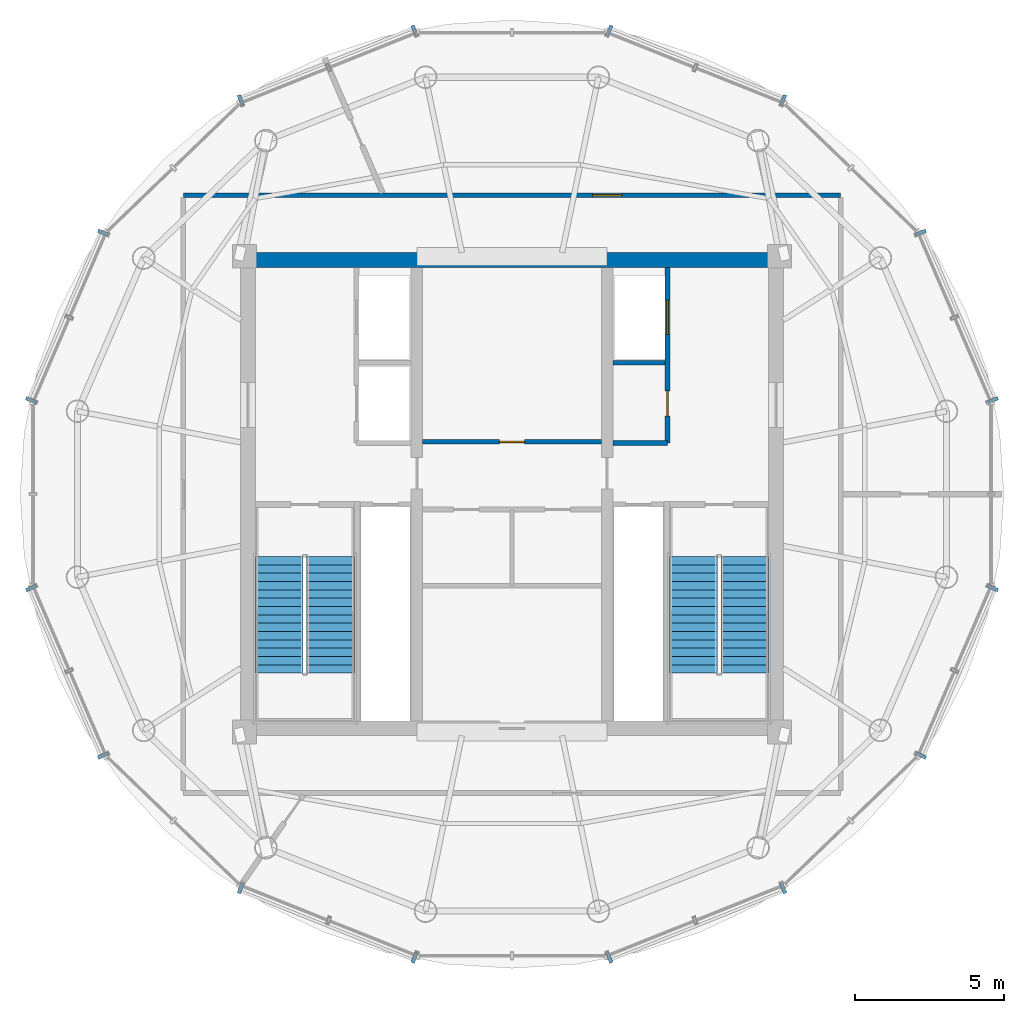
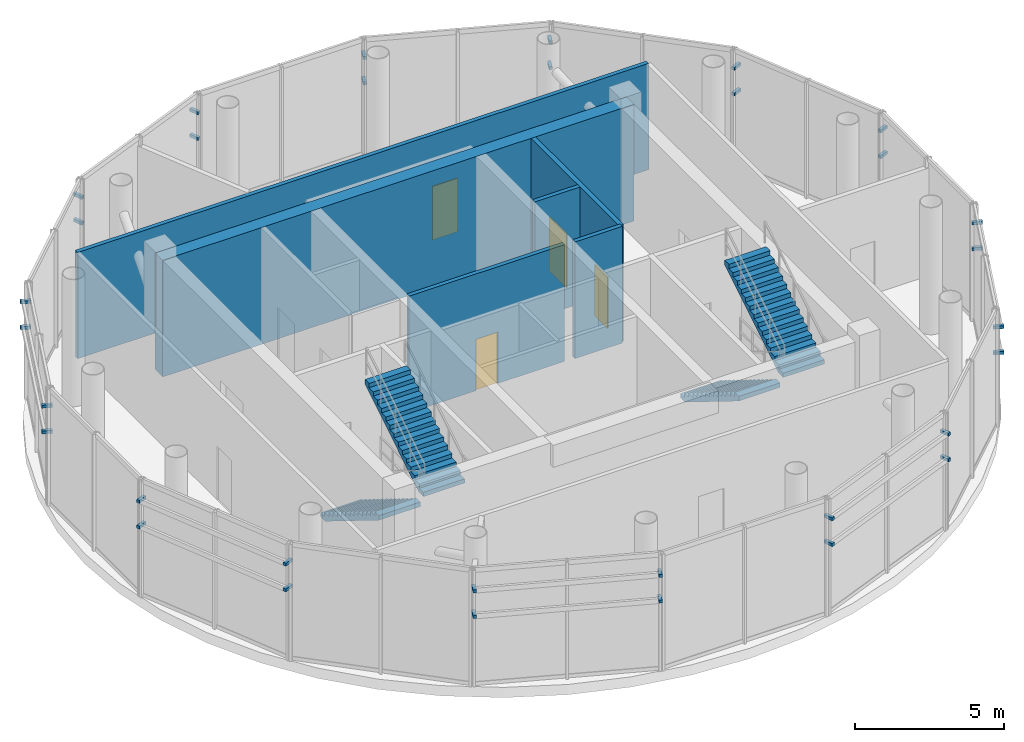
# One storey, part 12 of 14: 32 discrete accessories, 6 walls, 4 doors, 4 stair flights, 4 openings, 2 elements without a shape of their own.
"""IFC4 building model written with IfcOpenShell, lengths in metres."""

from ifc_helpers import new_model, si_unit, direction, frame, frame_2d, origin, origin_2d, place, context, subcontext, project, spatial, polyline, rectangle, outline, extrude, source, transform, mapped, material, layer, layer_set, type_object, element, fill, aggregate, save


model = new_model("IFC4")

# Units and contexts
model_context = context("Model", 3, precision=1e-05, world=origin(), true_north=direction((-0.2419218956, 0.970295726276)))
body_context = subcontext(model_context, "Body", "Model", "MODEL_VIEW")
ifc_project = project(units=[si_unit("LENGTHUNIT", "METRE"), si_unit("AREAUNIT", "SQUARE_METRE"), si_unit("VOLUMEUNIT", "CUBIC_METRE"), si_unit("PLANEANGLEUNIT", "RADIAN"), si_unit("MASSUNIT", "GRAM", prefix="KILO")], contexts=[model_context])

# Site, building, storey
site_placement = place(None, origin())
site = spatial("IfcSite", under=ifc_project, at=site_placement, CompositionType="ELEMENT")
building_placement = place(site_placement, origin())
building = spatial("IfcBuilding", under=site, at=building_placement, Name="Cobrevalo Terracotta Tower", CompositionType="ELEMENT")
storey_placement = place(building_placement, frame((0.0, 0.0, 326.89990234375)))
storey = spatial("IfcBuildingStorey", under=building, at=storey_placement, Name="L84", CompositionType="ELEMENT", Elevation=326.89990234375)

# Walls
ifc_material_1 = material(Name="Concrete C50", Category="concrete")
ifc_layer_1 = layer(ifc_material_1, 0.5)
ifc_layer_set_1 = layer_set([ifc_layer_1], Name="Concrete C50")
wall_type_1 = type_object("IfcWallType", Name="Crown core shear wall 500 mm Concrete C50", PredefinedType="SHEAR", material=ifc_layer_set_1)
wall_1_placement = place(storey_placement, frame((28.875, 34.675048828125, 0.0), z_axis=(0.0, 0.0, 1.0), x_axis=(1.0, 0.0, 0.0)))
element("IfcWall", 1, at=wall_1_placement, inside=storey, type_object=wall_type_1, Name="L84 north core shear wall", PredefinedType="SHEAR", context=body_context, shape_type="SweptSolid", body=[
    extrude(rectangle(XDim=18.25, YDim=0.5, at=frame_2d((9.125, 0.0))), origin(), (0.0, 0.0, 1.0), 4.780029296875),
])
ifc_material_2 = material(Name="Gypsum board on steel stud", Category="steel")
ifc_layer_2 = layer(ifc_material_2, 0.159912109375)
ifc_layer_set_2 = layer_set([ifc_layer_2], Name="Gypsum board on steel stud")
wall_type_2 = type_object("IfcWallType", Name="Fire-rated corridor acoustic partition wall 160 mm", PredefinedType="PARTITIONING", material=ifc_layer_set_2)
wall_2_placement = place(storey_placement, frame((41.389892578125, 31.219970703125, 0.0), z_axis=(0.0, 0.0, 1.0), x_axis=(1.0, 0.0, 0.0)))
element("IfcWall", 2, at=wall_2_placement, inside=storey, type_object=wall_type_2, Name="L84 interior partition IW-L84-FF2-M", PredefinedType="PARTITIONING", context=body_context, shape_type="SweptSolid", body=[
    extrude(rectangle(XDim=1.75, YDim=0.159912109375, at=frame_2d((0.875, 0.0))), origin(), (0.0, 0.0, 1.0), 4.780029296875),
])
wall_3_placement = place(storey_placement, frame((41.389892578125, 28.52001953125, 0.0), z_axis=(0.0, 0.0, 1.0), x_axis=(1.0, 0.0, 0.0)))
element("IfcWall", 3, at=wall_3_placement, inside=storey, type_object=wall_type_2, Name="L84 interior partition IW-L84-FF2-S", PredefinedType="PARTITIONING", context=body_context, shape_type="SweptSolid", body=[
    extrude(rectangle(XDim=1.840087890625, YDim=0.159912109375, at=frame_2d((0.919921875, 0.0))), origin(), (0.0, 0.0, 1.0), 4.780029296875),
])

# Wall, opening, door
wall_4_placement = place(storey_placement, frame((34.989990234375, 28.56005859375, 0.0), z_axis=(0.0, 0.0, 1.0), x_axis=(1.0, 0.0, 0.0)))
wall_4 = element("IfcWall", 4, at=wall_4_placement, inside=storey, type_object=wall_type_2, Name="L84 interior partition IW-L84-LB-S", PredefinedType="PARTITIONING", context=body_context, shape_type="SweptSolid", body=[
    extrude(rectangle(XDim=6.02001953125, YDim=0.159912109375, at=frame_2d((3.010009765625, 0.0))), origin(), (0.0, 0.0, 1.0), 4.780029296875),
])
opening_1_placement = place(wall_4_placement, frame((2.5849609375, 0.0, 0.0)))
opening_1 = element("IfcOpeningElement", 5, at=opening_1_placement, cuts=wall_4, Name="Opening ID-22", PredefinedType="OPENING", context=body_context, shape_type="SweptSolid", body=[
    extrude(rectangle(XDim=0.85009765625, YDim=2.10009765625, at=frame_2d((0.425048828125, 1.050048828125))), frame((0.0, 0.08984375, 0.0), z_axis=(0.0, -1.0, 0.0), x_axis=(1.0, 0.0, 0.0)), (0.0, 0.0, 1.0), 0.179931640625),
])
ifc_material_3 = material(Name="Powder-coated steel", Category="steel")
door_type_1 = type_object("IfcDoorType", Name="Riser shaft & meter closet fire access door 850x2100 EI 60", OperationType="NOTDEFINED", PredefinedType="DOOR", material=ifc_material_3)
shared_shape_1 = source(origin(), body_context, "Body", "SweptSolid", [
    extrude(rectangle(XDim=0.85009765625, YDim=2.10009765625, at=frame_2d((0.425048828125, 1.050048828125))), frame((0.0, 0.02490234375, 0.0), z_axis=(0.0, -1.0, 0.0), x_axis=(1.0, 0.0, 0.0)), (0.0, 0.0, 1.0), 0.050048828125),
])
door_1_placement = place(opening_1_placement, origin())
door_1 = element("IfcDoor", 6, at=door_1_placement, inside=storey, type_object=door_type_1, Name="L84 core service door Crown HV Switchroom Plant", OperationType="SINGLE_SWING_LEFT", OverallHeight=2.10009765625, OverallWidth=0.85009765625, PredefinedType="DOOR", context=body_context, shape_type="MappedRepresentation", body=[
    mapped(shared_shape_1, transform((0.0, 0.0, 0.0), scale=1.0)),
])
fill(opening_1, door_1)

wall_5_placement = place(storey_placement, frame((26.945068359375, 36.85498046875, 0.0), z_axis=(0.0, 0.0, 1.0), x_axis=(1.0, 0.0, 0.0)))
wall_5 = element("IfcWall", 7, at=wall_5_placement, inside=storey, type_object=wall_type_2, Name="L84 interior partition IW-L84-COR-N", PredefinedType="PARTITIONING", context=body_context, shape_type="SweptSolid", body=[
    extrude(rectangle(XDim=22.10986328125, YDim=0.159912109375, at=frame_2d((11.054931640625, 0.0))), origin(), (0.0, 0.0, 1.0), 4.35205078125),
])
opening_2_placement = place(wall_5_placement, frame((13.768310546875, 0.0, 0.0)))
opening_2 = element("IfcOpeningElement", 8, at=opening_2_placement, cuts=wall_5, Name="Opening ID-05", PredefinedType="OPENING", context=body_context, shape_type="SweptSolid", body=[
    extrude(rectangle(XDim=0.97998046875, YDim=2.199951171875, at=frame_2d((0.489990234375, 1.10009765625))), frame((0.0, 0.08984375, 0.0), z_axis=(0.0, -1.0, 0.0), x_axis=(1.0, 0.0, 0.0)), (0.0, 0.0, 1.0), 0.179931640625),
])
ifc_material_4 = material(Name="Solid hardwood timber", Category="wood")
door_type_2 = type_object("IfcDoorType", Name="Residence entrance fire-rated acoustic timber door 980x2200 EI 60", OperationType="NOTDEFINED", PredefinedType="DOOR", material=ifc_material_4)
shared_shape_2 = source(origin(), body_context, "Body", "SweptSolid", [
    extrude(rectangle(XDim=0.97998046875, YDim=2.199951171875, at=frame_2d((0.489990234375, 1.10009765625))), frame((0.0, 0.02490234375, 0.0), z_axis=(0.0, -1.0, 0.0), x_axis=(1.0, 0.0, 0.0)), (0.0, 0.0, 1.0), 0.050048828125),
])
door_2_placement = place(opening_2_placement, origin())
door_2 = element("IfcDoor", 9, at=door_2_placement, inside=storey, type_object=door_type_2, Name="L84 Crown AHU Mechanical Plant door", OperationType="SINGLE_SWING_LEFT", OverallHeight=2.199951171875, OverallWidth=0.97998046875, PredefinedType="DOOR", context=body_context, shape_type="MappedRepresentation", body=[
    mapped(shared_shape_2, transform((0.0, 0.0, 0.0), scale=1.0)),
])
fill(opening_2, door_2)

# Wall, openings, doors
ifc_layer_3 = layer(ifc_material_2, 0.179931640625)
ifc_layer_set_3 = layer_set([ifc_layer_3], Name="Gypsum board on steel stud")
wall_type_3 = type_object("IfcWallType", Name="Fire-rated shaft & lobby acoustic partition wall 180 mm", PredefinedType="PARTITIONING", material=ifc_layer_set_3)
wall_6_placement = place(storey_placement, frame((43.22998046875, 28.52001953125, 0.0), z_axis=(0.0, 0.0, 1.0), x_axis=(0.0, 1.0, 0.0)))
wall_6 = element("IfcWall", 10, at=wall_6_placement, inside=storey, type_object=wall_type_3, Name="L84 interior partition IW-L84-FF2-E", PredefinedType="PARTITIONING", context=body_context, shape_type="SweptSolid", body=[
    extrude(rectangle(XDim=5.905029296875, YDim=0.179931640625, at=frame_2d((2.95263671875, 0.0))), origin(), (0.0, 0.0, 1.0), 4.780029296875),
])
opening_3_placement = place(wall_6_placement, frame((0.905029296875, 0.0, 0.0)))
opening_3 = element("IfcOpeningElement", 11, at=opening_3_placement, cuts=wall_6, Name="Opening ID-22", PredefinedType="OPENING", context=body_context, shape_type="SweptSolid", body=[
    extrude(rectangle(XDim=0.85009765625, YDim=2.10009765625, at=frame_2d((0.425048828125, 1.050048828125))), frame((0.0, 0.10009765625, 0.0), z_axis=(0.0, -1.0, 0.0), x_axis=(1.0, 0.0, 0.0)), (0.0, 0.0, 1.0), 0.199951171875),
])
opening_4_placement = place(wall_6_placement, frame((3.655029296875, 0.0, 0.0)))
opening_4 = element("IfcOpeningElement", 12, at=opening_4_placement, cuts=wall_6, Name="Opening LD-02", PredefinedType="OPENING", context=body_context, shape_type="SweptSolid", body=[
    extrude(rectangle(XDim=1.14990234375, YDim=2.199951171875, at=frame_2d((0.574951171875, 1.10009765625))), frame((0.0, 0.10009765625, 0.0), z_axis=(0.0, -1.0, 0.0), x_axis=(1.0, 0.0, 0.0)), (0.0, 0.0, 1.0), 0.199951171875),
])
door_3_placement = place(opening_3_placement, frame((0.85009765625, 0.0, 0.0), z_axis=(0.0, 0.0, 1.0), x_axis=(-1.0, 0.0, 0.0)))
door_3 = element("IfcDoor", 13, at=door_3_placement, inside=storey, type_object=door_type_1, Name="L84 housekeeping store door", OperationType="SINGLE_SWING_RIGHT", OverallHeight=2.10009765625, OverallWidth=0.85009765625, PredefinedType="DOOR", context=body_context, shape_type="MappedRepresentation", body=[
    mapped(shared_shape_1, transform((0.0, 0.0, 0.0), scale=1.0)),
])
fill(opening_3, door_3)
ifc_material_5 = material(Name="Brushed stainless steel", Category="steel")
door_type_3 = type_object("IfcDoorType", Name="Firefighting lift landing bi-parting sliding door 1150x2200 EI 120", OperationType="DOUBLE_DOOR_SLIDING", PredefinedType="DOOR", material=ifc_material_5)
shared_shape_3 = source(origin(), body_context, "Body", "SweptSolid", [
    extrude(rectangle(XDim=1.14990234375, YDim=2.199951171875, at=frame_2d((0.574951171875, 1.10009765625))), frame((0.0, 0.02490234375, 0.0), z_axis=(0.0, -1.0, 0.0), x_axis=(1.0, 0.0, 0.0)), (0.0, 0.0, 1.0), 0.050048828125),
])
door_4_placement = place(opening_4_placement, origin())
door_4 = element("IfcDoor", 14, at=door_4_placement, inside=storey, type_object=door_type_3, Name="L84 lift landing door FF-2", OperationType="DOUBLE_DOOR_SLIDING", OverallHeight=2.199951171875, OverallWidth=1.14990234375, PredefinedType="DOOR", context=body_context, shape_type="MappedRepresentation", body=[
    mapped(shared_shape_3, transform((0.0, 0.0, 0.0), scale=1.0)),
])
fill(opening_4, door_4)

# Stair, stair flights
stair_type = type_object("IfcStairType", Name="Core protected escape dogleg stair 1600", PredefinedType="HALF_TURN_STAIR", material=ifc_material_1)
stair_1_placement = place(storey_placement, origin())
stair_1 = element("IfcStair", 15, at=stair_1_placement, inside=storey, type_object=stair_type, Name="L84 Protected exit stair ST-1", PredefinedType="HALF_TURN_STAIR")
stair_flight_type = type_object("IfcStairFlightType", Name="Core protected escape dogleg stair 1600 flight", PredefinedType="STRAIGHT", material=ifc_material_1)
stair_flight_1_placement = place(storey_placement, frame((30.175048828125, 24.699951171875, 0.0), z_axis=(0.0, 0.0, 1.0), x_axis=(0.0, -1.0, 0.0)))
stair_flight_1 = element("IfcStairFlight", 16, at=stair_flight_1_placement, type_object=stair_flight_type, Name="ST-1 flight 1", NumberOfRisers=15, NumberOfTreads=14, PredefinedType="STRAIGHT", RiserHeight=0.173333333, TreadLength=0.28, context=body_context, shape_type="SweptSolid", body=[
    extrude(outline(polyline([(0.0, 0.0), (0.0, 0.17333984375), (0.280029296875, 0.17333984375), (0.280029296875, 0.3466796875), (0.56005859375, 0.3466796875), (0.56005859375, 0.52001953125), (0.840087890625, 0.52001953125), (0.840087890625, 0.693359375), (1.1201171875, 0.693359375), (1.1201171875, 0.86669921875), (1.39990234375, 0.86669921875), (1.39990234375, 1.0400390625), (1.679931640625, 1.0400390625), (1.679931640625, 1.21337890625), (1.9599609375, 1.21337890625), (1.9599609375, 1.38671875), (2.239990234375, 1.38671875), (2.239990234375, 1.56005859375), (2.52001953125, 1.56005859375), (2.52001953125, 1.7333984375), (2.800048828125, 1.7333984375), (2.800048828125, 1.90673828125), (3.080078125, 1.90673828125), (3.080078125, 2.080078125), (3.360107421875, 2.080078125), (3.360107421875, 2.25341796875), (3.639892578125, 2.25341796875), (3.639892578125, 2.4267578125), (3.919921875, 2.4267578125), (3.919921875, 2.60009765625), (3.919921875, 2.238525390625), (0.3037109375, 0.0), (0.0, 0.0)])), frame((0.0, 0.800048828125, 0.0), z_axis=(0.0, -1.0, 0.0), x_axis=(1.0, 0.0, 0.0)), (0.0, 0.0, 1.0), 1.60009765625),
])
stair_flight_2_placement = place(storey_placement, frame((31.89501953125, 20.780029296875, 2.60009765625), z_axis=(0.0, 0.0, 1.0), x_axis=(0.0, 1.0, 0.0)))
stair_flight_2 = element("IfcStairFlight", 17, at=stair_flight_2_placement, type_object=stair_flight_type, Name="ST-1 flight 2", NumberOfRisers=15, NumberOfTreads=14, PredefinedType="STRAIGHT", RiserHeight=0.173333333, TreadLength=0.28, context=body_context, shape_type="SweptSolid", body=[
    extrude(outline(polyline([(0.0, 0.0), (0.0, 0.17333984375), (0.280029296875, 0.17333984375), (0.280029296875, 0.3466796875), (0.56005859375, 0.3466796875), (0.56005859375, 0.52001953125), (0.840087890625, 0.52001953125), (0.840087890625, 0.693359375), (1.1201171875, 0.693359375), (1.1201171875, 0.86669921875), (1.39990234375, 0.86669921875), (1.39990234375, 1.0400390625), (1.679931640625, 1.0400390625), (1.679931640625, 1.21337890625), (1.9599609375, 1.21337890625), (1.9599609375, 1.38671875), (2.239990234375, 1.38671875), (2.239990234375, 1.56005859375), (2.52001953125, 1.56005859375), (2.52001953125, 1.7333984375), (2.800048828125, 1.7333984375), (2.800048828125, 1.90673828125), (3.080078125, 1.90673828125), (3.080078125, 2.080078125), (3.360107421875, 2.080078125), (3.360107421875, 2.25341796875), (3.639892578125, 2.25341796875), (3.639892578125, 2.4267578125), (3.919921875, 2.4267578125), (3.919921875, 2.60009765625), (3.919921875, 2.238525390625), (0.3037109375, 0.0), (0.0, 0.0)])), frame((0.0, 0.800048828125, 0.0), z_axis=(0.0, -1.0, 0.0), x_axis=(1.0, 0.0, 0.0)), (0.0, 0.0, 1.0), 1.60009765625),
])
aggregate(stair_1, [stair_flight_1, stair_flight_2])

stair_2_placement = place(storey_placement, origin())
stair_2 = element("IfcStair", 18, at=stair_2_placement, inside=storey, type_object=stair_type, Name="L84 Protected exit stair ST-2", PredefinedType="HALF_TURN_STAIR")
stair_flight_3_placement = place(storey_placement, frame((44.10498046875, 24.699951171875, 0.0), z_axis=(0.0, 0.0, 1.0), x_axis=(0.0, -1.0, 0.0)))
stair_flight_3 = element("IfcStairFlight", 19, at=stair_flight_3_placement, type_object=stair_flight_type, Name="ST-2 flight 1", NumberOfRisers=15, NumberOfTreads=14, PredefinedType="STRAIGHT", RiserHeight=0.173333333, TreadLength=0.28, context=body_context, shape_type="SweptSolid", body=[
    extrude(outline(polyline([(0.0, 0.0), (0.0, 0.17333984375), (0.280029296875, 0.17333984375), (0.280029296875, 0.3466796875), (0.56005859375, 0.3466796875), (0.56005859375, 0.52001953125), (0.840087890625, 0.52001953125), (0.840087890625, 0.693359375), (1.1201171875, 0.693359375), (1.1201171875, 0.86669921875), (1.39990234375, 0.86669921875), (1.39990234375, 1.0400390625), (1.679931640625, 1.0400390625), (1.679931640625, 1.21337890625), (1.9599609375, 1.21337890625), (1.9599609375, 1.38671875), (2.239990234375, 1.38671875), (2.239990234375, 1.56005859375), (2.52001953125, 1.56005859375), (2.52001953125, 1.7333984375), (2.800048828125, 1.7333984375), (2.800048828125, 1.90673828125), (3.080078125, 1.90673828125), (3.080078125, 2.080078125), (3.360107421875, 2.080078125), (3.360107421875, 2.25341796875), (3.639892578125, 2.25341796875), (3.639892578125, 2.4267578125), (3.919921875, 2.4267578125), (3.919921875, 2.60009765625), (3.919921875, 2.238525390625), (0.3037109375, 0.0), (0.0, 0.0)])), frame((0.0, 0.800048828125, 0.0), z_axis=(0.0, -1.0, 0.0), x_axis=(1.0, 0.0, 0.0)), (0.0, 0.0, 1.0), 1.60009765625),
])
stair_flight_4_placement = place(storey_placement, frame((45.824951171875, 20.780029296875, 2.60009765625), z_axis=(0.0, 0.0, 1.0), x_axis=(0.0, 1.0, 0.0)))
stair_flight_4 = element("IfcStairFlight", 20, at=stair_flight_4_placement, type_object=stair_flight_type, Name="ST-2 flight 2", NumberOfRisers=15, NumberOfTreads=14, PredefinedType="STRAIGHT", RiserHeight=0.173333333, TreadLength=0.28, context=body_context, shape_type="SweptSolid", body=[
    extrude(outline(polyline([(0.0, 0.0), (0.0, 0.17333984375), (0.280029296875, 0.17333984375), (0.280029296875, 0.3466796875), (0.56005859375, 0.3466796875), (0.56005859375, 0.52001953125), (0.840087890625, 0.52001953125), (0.840087890625, 0.693359375), (1.1201171875, 0.693359375), (1.1201171875, 0.86669921875), (1.39990234375, 0.86669921875), (1.39990234375, 1.0400390625), (1.679931640625, 1.0400390625), (1.679931640625, 1.21337890625), (1.9599609375, 1.21337890625), (1.9599609375, 1.38671875), (2.239990234375, 1.38671875), (2.239990234375, 1.56005859375), (2.52001953125, 1.56005859375), (2.52001953125, 1.7333984375), (2.800048828125, 1.7333984375), (2.800048828125, 1.90673828125), (3.080078125, 1.90673828125), (3.080078125, 2.080078125), (3.360107421875, 2.080078125), (3.360107421875, 2.25341796875), (3.639892578125, 2.25341796875), (3.639892578125, 2.4267578125), (3.919921875, 2.4267578125), (3.919921875, 2.60009765625), (3.919921875, 2.238525390625), (0.3037109375, 0.0), (0.0, 0.0)])), frame((0.0, 0.800048828125, 0.0), z_axis=(0.0, -1.0, 0.0), x_axis=(1.0, 0.0, 0.0)), (0.0, 0.0, 1.0), 1.60009765625),
])
aggregate(stair_2, [stair_flight_3, stair_flight_4])

# Discrete accessories
ifc_layer_4 = layer(ifc_material_5, 0.1201171875)
ifc_layer_set_4 = layer_set([ifc_layer_4], Name="Brushed stainless steel")
discrete_accessory_type = type_object("IfcDiscreteAccessoryType", Name="Stainless Steel Facade & Canopy Support Bracket", PredefinedType="BRACKET", material=ifc_layer_set_4)
shared_shape_4 = source(origin(), body_context, "Body", "SweptSolid", [
    extrude(rectangle(XDim=0.1201171875, YDim=0.360107421875, at=origin_2d()), origin(), (0.0, 0.0, 1.0), 0.1201171875),
])
for number, where, z_axis, x_axis, name in (
    (21, (54.18115234375, 29.960693359375, 2.903564453125), (0.0, 0.0, 1.0), (-0.394960330504, 0.918698175316, 0.0), "CW-CRN-L84-S01 stainless baguette support bracket 1-A"),
    (22, (51.759521484375, 35.593505859375, 2.903564453125), (0.0, 0.0, 1.0), (-0.394960330504, 0.918698175316, 0.0), "CW-CRN-L84-S01 stainless baguette support bracket 1-B"),
    (23, (54.18115234375, 29.960693359375, 3.955322265625), (0.0, 0.0, 1.0), (-0.394960330504, 0.918698175316, 0.0), "CW-CRN-L84-S01 stainless baguette support bracket 2-A"),
    (24, (51.759521484375, 35.593505859375, 3.955322265625), (0.0, 0.0, 1.0), (-0.394960330504, 0.918698175316, 0.0), "CW-CRN-L84-S01 stainless baguette support bracket 2-B"),
    (25, (47.124267578125, 40.060546875, 2.903564453125), (0.0, 0.0, 1.0), (-0.928768802339, 0.370659563214, 0.0), "CW-CRN-L84-S03 stainless baguette support bracket 1-A"),
    (26, (41.27587890625, 42.39453125, 2.903564453125), (0.0, 0.0, 1.0), (-0.928768802339, 0.370659563214, 0.0), "CW-CRN-L84-S03 stainless baguette support bracket 1-B"),
    (27, (47.124267578125, 40.060546875, 3.955322265625), (0.0, 0.0, 1.0), (-0.928768802339, 0.370659563214, 0.0), "CW-CRN-L84-S03 stainless baguette support bracket 2-A"),
    (28, (41.27587890625, 42.39453125, 3.955322265625), (0.0, 0.0, 1.0), (-0.928768802339, 0.370659563214, 0.0), "CW-CRN-L84-S03 stainless baguette support bracket 2-B"),
    (29, (34.72412109375, 42.39453125, 2.903564453125), (0.0, 0.0, 1.0), (-0.928768802339, -0.370659563214, 0.0), "CW-CRN-L84-S05 stainless baguette support bracket 1-A"),
    (30, (28.875732421875, 40.060546875, 2.903564453125), (0.0, 0.0, 1.0), (-0.928768802339, -0.370659563214, 0.0), "CW-CRN-L84-S05 stainless baguette support bracket 1-B"),
    (31, (34.72412109375, 42.39453125, 3.955322265625), (0.0, 0.0, 1.0), (-0.928768802339, -0.370659563214, 0.0), "CW-CRN-L84-S05 stainless baguette support bracket 2-A"),
    (32, (28.875732421875, 40.060546875, 3.955322265625), (0.0, 0.0, 1.0), (-0.928768802339, -0.370659563214, 0.0), "CW-CRN-L84-S05 stainless baguette support bracket 2-B"),
    (33, (24.240478515625, 35.593505859375, 2.903564453125), (0.0, 0.0, 1.0), (-0.394960330504, -0.918698175316, 0.0), "CW-CRN-L84-S07 stainless baguette support bracket 1-A"),
    (34, (21.81884765625, 29.960693359375, 2.903564453125), (0.0, 0.0, 1.0), (-0.394960330504, -0.918698175316, 0.0), "CW-CRN-L84-S07 stainless baguette support bracket 1-B"),
    (35, (24.240478515625, 35.593505859375, 3.955322265625), (0.0, 0.0, 1.0), (-0.394960330504, -0.918698175316, 0.0), "CW-CRN-L84-S07 stainless baguette support bracket 2-A"),
    (36, (21.81884765625, 29.960693359375, 3.955322265625), (0.0, 0.0, 1.0), (-0.394960330504, -0.918698175316, 0.0), "CW-CRN-L84-S07 stainless baguette support bracket 2-B"),
    (37, (21.81884765625, 23.639404296875, 2.903564453125), (0.0, 0.0, 1.0), (0.394960330504, -0.918698175316, 0.0), "CW-CRN-L84-S09 stainless baguette support bracket 1-A"),
    (38, (24.240478515625, 18.006591796875, 2.903564453125), (0.0, 0.0, 1.0), (0.394960330504, -0.918698175316, 0.0), "CW-CRN-L84-S09 stainless baguette support bracket 1-B"),
    (39, (21.81884765625, 23.639404296875, 3.955322265625), (0.0, 0.0, 1.0), (0.394960330504, -0.918698175316, 0.0), "CW-CRN-L84-S09 stainless baguette support bracket 2-A"),
    (40, (24.240478515625, 18.006591796875, 3.955322265625), (0.0, 0.0, 1.0), (0.394960330504, -0.918698175316, 0.0), "CW-CRN-L84-S09 stainless baguette support bracket 2-B"),
    (41, (28.875732421875, 13.539306640625, 2.903564453125), (0.0, 0.0, 1.0), (0.928768802339, -0.370659563214, 0.0), "CW-CRN-L84-S11 stainless baguette support bracket 1-A"),
    (42, (34.72412109375, 11.205322265625, 2.903564453125), (0.0, 0.0, 1.0), (0.928768802339, -0.370659563214, 0.0), "CW-CRN-L84-S11 stainless baguette support bracket 1-B"),
    (43, (28.875732421875, 13.539306640625, 3.955322265625), (0.0, 0.0, 1.0), (0.928768802339, -0.370659563214, 0.0), "CW-CRN-L84-S11 stainless baguette support bracket 2-A"),
    (44, (34.72412109375, 11.205322265625, 3.955322265625), (0.0, 0.0, 1.0), (0.928768802339, -0.370659563214, 0.0), "CW-CRN-L84-S11 stainless baguette support bracket 2-B"),
    (45, (41.27587890625, 11.205322265625, 2.903564453125), (0.0, 0.0, 1.0), (0.928768802339, 0.370659563214, 0.0), "CW-CRN-L84-S13 stainless baguette support bracket 1-A"),
    (46, (47.124267578125, 13.539306640625, 2.903564453125), (0.0, 0.0, 1.0), (0.928768802339, 0.370659563214, 0.0), "CW-CRN-L84-S13 stainless baguette support bracket 1-B"),
    (47, (41.27587890625, 11.205322265625, 3.955322265625), (0.0, 0.0, 1.0), (0.928768802339, 0.370659563214, 0.0), "CW-CRN-L84-S13 stainless baguette support bracket 2-A"),
    (48, (47.124267578125, 13.539306640625, 3.955322265625), (0.0, 0.0, 1.0), (0.928768802339, 0.370659563214, 0.0), "CW-CRN-L84-S13 stainless baguette support bracket 2-B"),
    (49, (51.759521484375, 18.006591796875, 2.903564453125), (0.0, 0.0, 1.0), (0.394960330504, 0.918698175316, 0.0), "CW-CRN-L84-S15 stainless baguette support bracket 1-A"),
    (50, (54.18115234375, 23.639404296875, 2.903564453125), (0.0, 0.0, 1.0), (0.394960330504, 0.918698175316, 0.0), "CW-CRN-L84-S15 stainless baguette support bracket 1-B"),
    (51, (51.759521484375, 18.006591796875, 3.955322265625), (0.0, 0.0, 1.0), (0.394960330504, 0.918698175316, 0.0), "CW-CRN-L84-S15 stainless baguette support bracket 2-A"),
    (52, (54.18115234375, 23.639404296875, 3.955322265625), (0.0, 0.0, 1.0), (0.394960330504, 0.918698175316, 0.0), "CW-CRN-L84-S15 stainless baguette support bracket 2-B"),
):
    element("IfcDiscreteAccessory", number, at=place(storey_placement, frame(where, z_axis=z_axis, x_axis=x_axis)), inside=storey, type_object=discrete_accessory_type, Name=name, PredefinedType="BRACKET", context=body_context, shape_type="MappedRepresentation", body=[
        mapped(shared_shape_4, transform((0.0, 0.0, 0.0), scale=1.0)),
    ])

save(model, "model.ifc")
